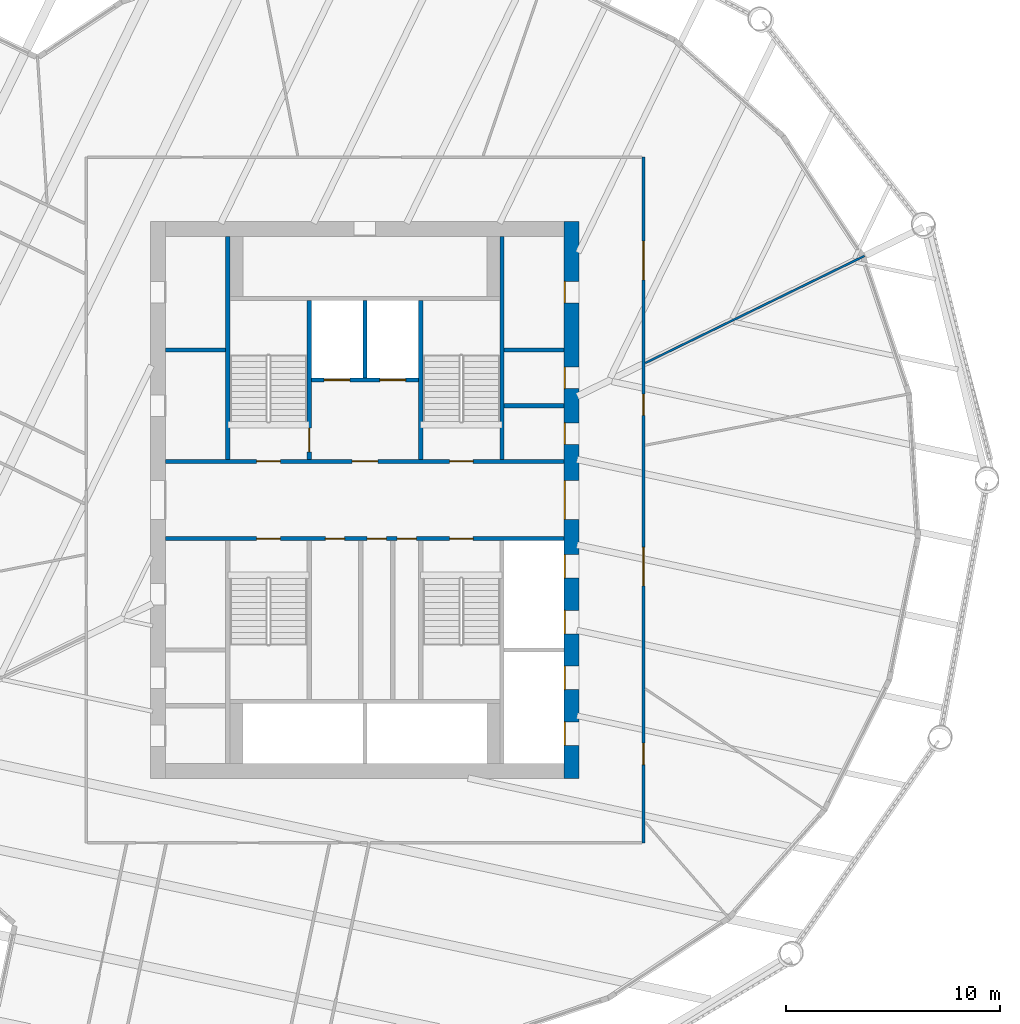
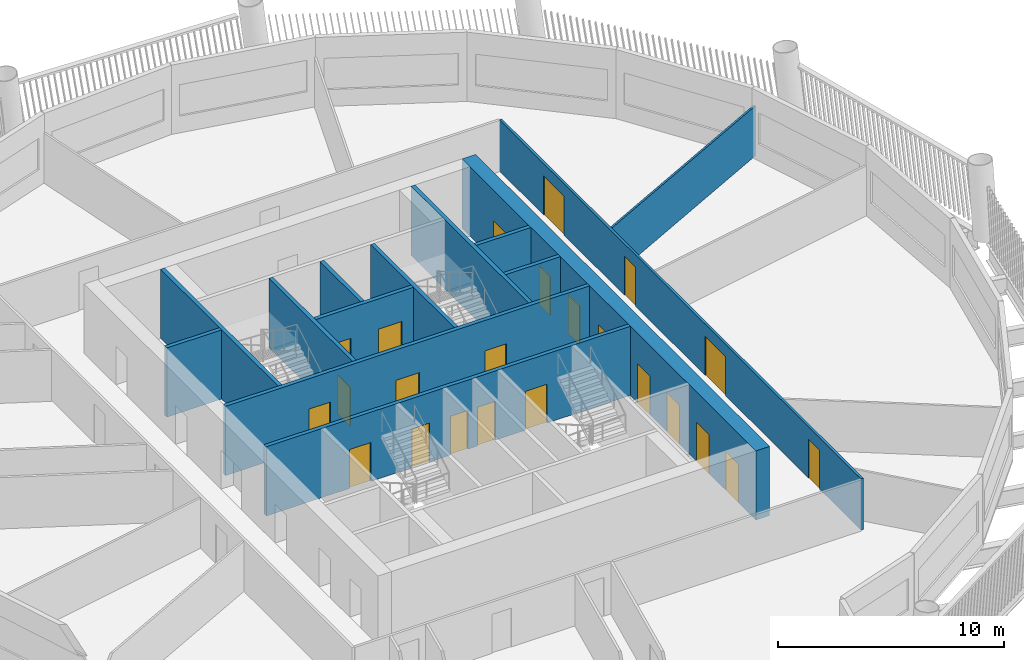
# One storey, part 5 of 15: 23 doors, 14 walls, 23 openings.
"""IFC4 building model written with IfcOpenShell, lengths in metres."""

import ifcopenshell
import ifcopenshell.guid

model = None  # the IFC model being written
_history = None  # IfcOwnerHistory: only IFC2X3 demands one
_inside = {}  # id of a spatial element -> (the spatial element, [elements in it])
_under = {}  # id of a project, library or spatial element -> (it, [spatial elements below it])
_declared = {}  # id of a project -> (the project, [libraries it declares])
_typed = {}  # id of a type object -> (the type object, [elements of that type])
_made_of = {}  # id of a material, layer set ... -> (it, [elements and type objects made of it])


def new_model(schema):
    """Start an empty IFC model of exactly this schema.

    Asked for "IFC4X3", IfcOpenShell would pick the latest addendum, in which some entities
    have other attributes; the version numbers below select the first issue.
    IFC2X3 requires an IfcOwnerHistory on every rooted entity: one is made here for all.
    """
    global model, _history
    if schema == "IFC4X3":
        model = ifcopenshell.file(schema_version=(4, 3, 0, 0))
    else:
        model = ifcopenshell.file(schema=schema)
    _inside.clear()
    _under.clear()
    _declared.clear()
    _typed.clear()
    _made_of.clear()
    _history = None
    if model.schema == "IFC2X3":
        org = make("IfcOrganization", Name="unknown")
        user = make(
            "IfcPersonAndOrganization",
            ThePerson=make("IfcPerson", FamilyName="unknown"),
            TheOrganization=org,
        )
        app = make(
            "IfcApplication",
            ApplicationDeveloper=org,
            Version="unknown",
            ApplicationFullName="unknown",
            ApplicationIdentifier="unknown",
        )
        _history = make(
            "IfcOwnerHistory",
            OwningUser=user,
            OwningApplication=app,
            ChangeAction="ADDED",
            CreationDate=0,
        )
    return model


def make(cls, **values):
    """One entity of the class cls with the attributes given. An attribute that is None is left unset."""
    return model.create_entity(
        cls, **{name: value for name, value in values.items() if value is not None}
    )


def rooted(cls, **values):
    """An entity with a GlobalId (a new one), such as an element, a storey or a relation."""
    return make(cls, GlobalId=ifcopenshell.guid.new(), OwnerHistory=_history, **values)


def si_unit(unit_type, name, prefix=None):
    """IfcSIUnit, for example si_unit("LENGTHUNIT", "METRE", prefix="MILLI")."""
    return make("IfcSIUnit", UnitType=unit_type, Prefix=prefix, Name=name)


def assignment(units):
    """IfcUnitAssignment: the units of a project."""
    return None if units is None else make("IfcUnitAssignment", Units=units)


def point(xyz):
    """IfcCartesianPoint."""
    return None if xyz is None else make("IfcCartesianPoint", Coordinates=xyz)


def direction(xyz):
    """IfcDirection."""
    return None if xyz is None else make("IfcDirection", DirectionRatios=xyz)


def frame(location, z_axis=None, x_axis=None):
    """IfcAxis2Placement3D, a coordinate frame: its origin and axes. An axis left out is left unset."""
    return make(
        "IfcAxis2Placement3D",
        Location=point(location),
        Axis=direction(z_axis),
        RefDirection=direction(x_axis),
    )


def frame_2d(location, x_axis=None):
    """IfcAxis2Placement2D, a coordinate frame in the plane: its origin and x axis."""
    return make(
        "IfcAxis2Placement2D", Location=point(location), RefDirection=direction(x_axis)
    )


def origin():
    """The frame at (0, 0, 0) with its axes left unset."""
    return frame((0.0, 0.0, 0.0))


def place(relative_to, where):
    """IfcLocalPlacement: puts the frame where relative to a parent placement (None: the world)."""
    return make(
        "IfcLocalPlacement", PlacementRelTo=relative_to, RelativePlacement=where
    )


def context(
    kind, dimensions, precision=None, world=None, true_north=None, identifier=None
):
    """IfcGeometricRepresentationContext, for example the 3D "Model" context."""
    return make(
        "IfcGeometricRepresentationContext",
        ContextIdentifier=identifier,
        ContextType=kind,
        CoordinateSpaceDimension=dimensions,
        Precision=precision,
        WorldCoordinateSystem=world,
        TrueNorth=true_north,
    )


def subcontext(parent, identifier, kind, view, scale=None):
    """IfcGeometricRepresentationSubContext, for example "Body" below "Model"."""
    return make(
        "IfcGeometricRepresentationSubContext",
        ContextIdentifier=identifier,
        ContextType=kind,
        ParentContext=parent,
        TargetScale=scale,
        TargetView=view,
    )


def project(units=None, contexts=None):
    """IfcProject with its units and contexts."""
    return rooted(
        "IfcProject",
        Name="project",
        RepresentationContexts=contexts,
        UnitsInContext=assignment(units),
    )


def spatial(cls, under=None, at=None, **own):
    """A site, building, storey or space (cls), placed at a placement, below another one or the project."""
    s = rooted(cls, ObjectPlacement=at, **own)
    if under is not None:
        _under.setdefault(under.id(), (under, []))[1].append(s)
    return s


def profile(cls, at=None, kind="AREA", **sizes):
    """A parametric profile (cls). Its sizes go by their IFC names, for example OverallWidth=200.0."""
    return make(cls, ProfileType=kind, Position=at, **sizes)


def rectangle(**sizes):
    """IfcRectangleProfileDef."""
    return profile("IfcRectangleProfileDef", **sizes)


def extrude(swept, where, along, depth):
    """IfcExtrudedAreaSolid: the profile swept, set in the frame where, extruded along a direction by depth."""
    return make(
        "IfcExtrudedAreaSolid",
        SweptArea=swept,
        Position=where,
        ExtrudedDirection=direction(along),
        Depth=depth,
    )


def shape(context_of_items, identifier, shape_type, items):
    """IfcShapeRepresentation: the items that make up one representation, for example the "Body"."""
    return make(
        "IfcShapeRepresentation",
        ContextOfItems=context_of_items,
        RepresentationIdentifier=identifier,
        RepresentationType=shape_type,
        Items=items,
    )


def material(Name=None, Category=None):
    """IfcMaterial."""
    return make("IfcMaterial", Name=Name, Category=Category)


def layer(
    of_material, thickness, ventilated=None, Name=None, Category=None, Priority=None
):
    """IfcMaterialLayer: one layer of a wall or slab, of a material (None: an air gap)."""
    return make(
        "IfcMaterialLayer",
        Material=of_material,
        LayerThickness=thickness,
        IsVentilated=ventilated,
        Name=Name,
        Category=Category,
        Priority=Priority,
    )


def layer_set(layers, Name=None):
    """IfcMaterialLayerSet."""
    return make("IfcMaterialLayerSet", MaterialLayers=layers, LayerSetName=Name)


def made_of(thing, what):
    """Note that an element or type object is made of a material, layer set ...; save() writes the relation."""
    if what is not None:
        _made_of.setdefault(what.id(), (what, []))[1].append(thing)
    return thing


def type_object(cls, material=None, **own):
    """A type object (cls), such as IfcWallType, which elements share."""
    return made_of(rooted(cls, **own), material)


def element(
    cls,
    number,
    at=None,
    inside=None,
    cuts=None,
    type_object=None,
    material=None,
    context=None,
    identifier="Body",
    shape_type=None,
    held_by="IfcProductDefinitionShape",
    body=None,
    shapes=None,
    **own,
):
    """One element of the class cls, such as IfcWall. Its Tag is "e" and its number.

    at: its placement. inside: the storey or other place that contains it. cuts: it is an
    opening in that element (IfcRelVoidsElement). A single representation is given by context,
    identifier, shape_type and body (its items); several are given by shapes. held_by: the class
    of the entity that holds the representations. save() writes the other relations.
    """
    e = rooted(cls, Tag="e%d" % number, ObjectPlacement=at, **own)
    if body is not None:
        shapes = [shape(context, identifier, shape_type, body)]
    if shapes is not None:
        e.Representation = make(held_by, Representations=shapes)
    if inside is not None:
        _inside.setdefault(inside.id(), (inside, []))[1].append(e)
    if cuts is not None:
        rooted(
            "IfcRelVoidsElement", RelatingBuildingElement=cuts, RelatedOpeningElement=e
        )
    if type_object is not None:
        _typed.setdefault(type_object.id(), (type_object, []))[1].append(e)
    return made_of(e, material)


def fill(opening, filler):
    """IfcRelFillsElement: the door or window that sits in an opening."""
    return rooted(
        "IfcRelFillsElement",
        RelatingOpeningElement=opening,
        RelatedBuildingElement=filler,
    )


def aggregate(whole, parts):
    """IfcRelAggregates: a whole, such as a stair, and the parts it consists of."""
    return rooted("IfcRelAggregates", RelatingObject=whole, RelatedObjects=parts)


def save(model, path):
    """Write the relations noted so far, then the file.

    IfcRelAggregates (storeys below a building ...), IfcRelContainedInSpatialStructure (elements
    in a storey), IfcRelDefinesByType, IfcRelAssociatesMaterial and IfcRelDeclares: one each for
    every whole, place, type object, material and project.
    """
    for whole, parts in _under.values():
        aggregate(whole, parts)
    for where, things in _inside.values():
        rooted(
            "IfcRelContainedInSpatialStructure",
            RelatedElements=things,
            RelatingStructure=where,
        )
    for kind, things in _typed.values():
        rooted("IfcRelDefinesByType", RelatedObjects=things, RelatingType=kind)
    for what, things in _made_of.values():
        rooted("IfcRelAssociatesMaterial", RelatedObjects=things, RelatingMaterial=what)
    for by, libraries in _declared.values():
        rooted("IfcRelDeclares", RelatingContext=by, RelatedDefinitions=libraries)
    model.write(path)


model = new_model("IFC4")

# Units and contexts
model_context = context("Model", 3, precision=1e-05, world=origin(), true_north=direction((0.0, 1.0)))
body_context = subcontext(model_context, "Body", "Model", "MODEL_VIEW")
ifc_project = project(units=[si_unit("LENGTHUNIT", "METRE"), si_unit("AREAUNIT", "SQUARE_METRE"), si_unit("VOLUMEUNIT", "CUBIC_METRE"), si_unit("PLANEANGLEUNIT", "RADIAN"), si_unit("MASSUNIT", "GRAM", prefix="KILO")], contexts=[model_context])

# Site, building, storey
site_placement = place(None, origin())
site = spatial("IfcSite", under=ifc_project, at=site_placement, CompositionType="ELEMENT")
building_placement = place(site_placement, origin())
building = spatial("IfcBuilding", under=site, at=building_placement, Name="Tarsis Ring Headquarters", CompositionType="ELEMENT")
storey_placement = place(building_placement, frame((0.0, 0.0, 174.89990234375)))
storey = spatial("IfcBuildingStorey", under=building, at=storey_placement, Name="L40", CompositionType="ELEMENT", Elevation=174.89990234375)

# Walls
ifc_material_1 = material(Name="Blockwork", Category="masonry")
ifc_layer_1 = layer(ifc_material_1, 0.199951171875)
ifc_layer_set_1 = layer_set([ifc_layer_1], Name="Core blockwork wall 200")
wall_type_1 = type_object("IfcWallType", Name="Core blockwork wall 200", PredefinedType="PARTITIONING", material=ifc_layer_set_1)
for number, where, z_axis, x_axis, name in (
    (1, (-9.300048828125, 7.0, 0.0), (0.0, 0.0, 1.0), (1.0, 0.0, 0.0), "Core partition WD6"),
    (2, (6.5, 4.39990234375, 0.0), (0.0, 0.0, 1.0), (1.0, 0.0, 0.0), "Core partition ED5"),
    (3, (6.5, 7.0, 0.0), (0.0, 0.0, 1.0), (1.0, 0.0, 0.0), "Core partition ED6"),
):
    element("IfcWall", number, at=place(storey_placement, frame(where, z_axis=z_axis, x_axis=x_axis)), inside=storey, type_object=wall_type_1, Name=name, PredefinedType="PARTITIONING", context=body_context, shape_type="SweptSolid", body=[
        extrude(rectangle(XDim=2.800048828125, YDim=0.199951171875, at=frame_2d((1.39990234375, 0.0))), origin(), (0.0, 0.0, 1.0), 3.739990234375),
    ])

# Wall, openings, doors
ifc_material_2 = material(Name="Concrete C60/75", Category="concrete")
ifc_layer_2 = layer(ifc_material_2, 0.699951171875)
ifc_layer_set_2 = layer_set([ifc_layer_2], Name="Core wall 700 C60/75")
wall_type_2 = type_object("IfcWallType", Name="Core wall 700 C60/75", PredefinedType="SHEAR", material=ifc_layer_set_2)
wall_1_placement = place(storey_placement, frame((9.64990234375, -13.0, 0.0), z_axis=(0.0, 0.0, 1.0), x_axis=(0.0, 1.0, 0.0)))
wall_1 = element("IfcWall", 4, at=wall_1_placement, inside=storey, type_object=wall_type_2, Name="Core wall OE", PredefinedType="SHEAR", context=body_context, shape_type="SweptSolid", body=[
    extrude(rectangle(XDim=26.0, YDim=0.699951171875, at=frame_2d((13.0, 0.0))), origin(), (0.0, 0.0, 1.0), 3.739990234375),
])
opening_1_placement = place(wall_1_placement, frame((1.550048828125, 0.0, 0.0)))
opening_1 = element("IfcOpeningElement", 5, at=opening_1_placement, cuts=wall_1, Name="Opening LD-MR1", PredefinedType="OPENING", context=body_context, shape_type="SweptSolid", body=[
    extrude(rectangle(XDim=1.10009765625, YDim=2.10009765625, at=frame_2d((0.550048828125, 1.050048828125))), frame((0.0, 0.35986328125, 0.0), z_axis=(0.0, -1.0, 0.0), x_axis=(1.0, 0.0, 0.0)), (0.0, 0.0, 1.0), 0.719970703125),
])
opening_2_placement = place(wall_1_placement, frame((4.14990234375, 0.0, 0.0)))
opening_2 = element("IfcOpeningElement", 6, at=opening_2_placement, cuts=wall_1, Name="Opening LD-MR2", PredefinedType="OPENING", context=body_context, shape_type="SweptSolid", body=[
    extrude(rectangle(XDim=1.10009765625, YDim=2.10009765625, at=frame_2d((0.550048828125, 1.050048828125))), frame((0.0, 0.35986328125, 0.0), z_axis=(0.0, -1.0, 0.0), x_axis=(1.0, 0.0, 0.0)), (0.0, 0.0, 1.0), 0.719970703125),
])
opening_3_placement = place(wall_1_placement, frame((6.75, 0.0, 0.0)))
opening_3 = element("IfcOpeningElement", 7, at=opening_3_placement, cuts=wall_1, Name="Opening LD-MR3", PredefinedType="OPENING", context=body_context, shape_type="SweptSolid", body=[
    extrude(rectangle(XDim=1.10009765625, YDim=2.10009765625, at=frame_2d((0.550048828125, 1.050048828125))), frame((0.0, 0.35986328125, 0.0), z_axis=(0.0, -1.0, 0.0), x_axis=(1.0, 0.0, 0.0)), (0.0, 0.0, 1.0), 0.719970703125),
])
opening_4_placement = place(wall_1_placement, frame((9.35009765625, 0.0, 0.0)))
opening_4 = element("IfcOpeningElement", 8, at=opening_4_placement, cuts=wall_1, Name="Opening LD-MR4", PredefinedType="OPENING", context=body_context, shape_type="SweptSolid", body=[
    extrude(rectangle(XDim=1.10009765625, YDim=2.10009765625, at=frame_2d((0.550048828125, 1.050048828125))), frame((0.0, 0.35986328125, 0.0), z_axis=(0.0, -1.0, 0.0), x_axis=(1.0, 0.0, 0.0)), (0.0, 0.0, 1.0), 0.719970703125),
])
opening_5_placement = place(wall_1_placement, frame((12.10009765625, 0.0, 0.0)))
opening_5 = element("IfcOpeningElement", 9, at=opening_5_placement, cuts=wall_1, Name="Opening L40-C11", PredefinedType="OPENING", context=body_context, shape_type="SweptSolid", body=[
    extrude(rectangle(XDim=1.800048828125, YDim=2.10009765625, at=frame_2d((0.89990234375, 1.050048828125))), frame((0.0, 0.35986328125, 0.0), z_axis=(0.0, -1.0, 0.0), x_axis=(1.0, 0.0, 0.0)), (0.0, 0.0, 1.0), 0.719970703125),
])
opening_6_placement = place(wall_1_placement, frame((15.60009765625, 0.0, 0.0)))
opening_6 = element("IfcOpeningElement", 10, at=opening_6_placement, cuts=wall_1, Name="Opening L40-C12", PredefinedType="OPENING", context=body_context, shape_type="SweptSolid", body=[
    extrude(rectangle(XDim=1.0, YDim=2.10009765625, at=frame_2d((0.5, 1.050048828125))), frame((0.0, 0.35986328125, 0.0), z_axis=(0.0, -1.0, 0.0), x_axis=(1.0, 0.0, 0.0)), (0.0, 0.0, 1.0), 0.719970703125),
])
opening_7_placement = place(wall_1_placement, frame((18.199951171875, 0.0, 0.0)))
opening_7 = element("IfcOpeningElement", 11, at=opening_7_placement, cuts=wall_1, Name="Opening L40-C13", PredefinedType="OPENING", context=body_context, shape_type="SweptSolid", body=[
    extrude(rectangle(XDim=1.0, YDim=2.10009765625, at=frame_2d((0.5, 1.050048828125))), frame((0.0, 0.35986328125, 0.0), z_axis=(0.0, -1.0, 0.0), x_axis=(1.0, 0.0, 0.0)), (0.0, 0.0, 1.0), 0.719970703125),
])
opening_8_placement = place(wall_1_placement, frame((22.199951171875, 0.0, 0.0)))
opening_8 = element("IfcOpeningElement", 12, at=opening_8_placement, cuts=wall_1, Name="Opening L40-C14", PredefinedType="OPENING", context=body_context, shape_type="SweptSolid", body=[
    extrude(rectangle(XDim=1.0, YDim=2.10009765625, at=frame_2d((0.5, 1.050048828125))), frame((0.0, 0.35986328125, 0.0), z_axis=(0.0, -1.0, 0.0), x_axis=(1.0, 0.0, 0.0)), (0.0, 0.0, 1.0), 0.719970703125),
])
ifc_material_3 = material(Name="Steel S355", Category="steel")
door_type_1 = type_object("IfcDoorType", Name="Core entry door 1800x2100", OperationType="DOUBLE_DOOR_SINGLE_SWING", PredefinedType="DOOR", material=ifc_material_3)
door_1_placement = place(opening_5_placement, origin())
door_1 = element("IfcDoor", 13, at=door_1_placement, inside=storey, type_object=door_type_1, Name="Core entry door L40", OperationType="DOUBLE_DOOR_SINGLE_SWING", OverallHeight=2.10009765625, OverallWidth=1.800048828125, PredefinedType="DOOR", context=body_context, shape_type="SweptSolid", body=[
    extrude(rectangle(XDim=1.800048828125, YDim=2.10009765625, at=frame_2d((0.89990234375, 1.050048828125))), frame((0.0, 0.35009765625, 0.0), z_axis=(0.0, -1.0, 0.0), x_axis=(1.0, 0.0, 0.0)), (0.0, 0.0, 1.0), 0.050048828125),
])
fill(opening_5, door_1)
door_type_2 = type_object("IfcDoorType", Name="Core room door 1000x2100", OperationType="SINGLE_SWING_LEFT", PredefinedType="DOOR", material=ifc_material_3)
door_2_placement = place(opening_6_placement, origin())
door_2 = element("IfcDoor", 14, at=door_2_placement, inside=storey, type_object=door_type_2, Name="Core room door L40", OperationType="SINGLE_SWING_LEFT", OverallHeight=2.10009765625, OverallWidth=1.0, PredefinedType="DOOR", context=body_context, shape_type="SweptSolid", body=[
    extrude(rectangle(XDim=1.0, YDim=2.10009765625, at=frame_2d((0.5, 1.050048828125))), frame((0.0, 0.35009765625, 0.0), z_axis=(0.0, -1.0, 0.0), x_axis=(1.0, 0.0, 0.0)), (0.0, 0.0, 1.0), 0.050048828125),
])
fill(opening_6, door_2)
door_3_placement = place(opening_7_placement, origin())
door_3 = element("IfcDoor", 15, at=door_3_placement, inside=storey, type_object=door_type_2, Name="Core room door L40", OperationType="SINGLE_SWING_LEFT", OverallHeight=2.10009765625, OverallWidth=1.0, PredefinedType="DOOR", context=body_context, shape_type="SweptSolid", body=[
    extrude(rectangle(XDim=1.0, YDim=2.10009765625, at=frame_2d((0.5, 1.050048828125))), frame((0.0, 0.35009765625, 0.0), z_axis=(0.0, -1.0, 0.0), x_axis=(1.0, 0.0, 0.0)), (0.0, 0.0, 1.0), 0.050048828125),
])
fill(opening_7, door_3)
door_4_placement = place(opening_8_placement, origin())
door_4 = element("IfcDoor", 16, at=door_4_placement, inside=storey, type_object=door_type_2, Name="Core room door L40", OperationType="SINGLE_SWING_LEFT", OverallHeight=2.10009765625, OverallWidth=1.0, PredefinedType="DOOR", context=body_context, shape_type="SweptSolid", body=[
    extrude(rectangle(XDim=1.0, YDim=2.10009765625, at=frame_2d((0.5, 1.050048828125))), frame((0.0, 0.35009765625, 0.0), z_axis=(0.0, -1.0, 0.0), x_axis=(1.0, 0.0, 0.0)), (0.0, 0.0, 1.0), 0.050048828125),
])
fill(opening_8, door_4)
door_type_3 = type_object("IfcDoorType", Name="Landing door 1100x2100", OperationType="SLIDING_TO_LEFT", PredefinedType="DOOR", material=ifc_material_3)
door_5_placement = place(opening_1_placement, origin())
door_5 = element("IfcDoor", 17, at=door_5_placement, inside=storey, type_object=door_type_3, Name="Landing door MR1 L40", OperationType="SLIDING_TO_LEFT", OverallHeight=2.10009765625, OverallWidth=1.10009765625, PredefinedType="DOOR", context=body_context, shape_type="SweptSolid", body=[
    extrude(rectangle(XDim=1.10009765625, YDim=2.10009765625, at=frame_2d((0.550048828125, 1.050048828125))), frame((0.0, 0.35009765625, 0.0), z_axis=(0.0, -1.0, 0.0), x_axis=(1.0, 0.0, 0.0)), (0.0, 0.0, 1.0), 0.050048828125),
])
fill(opening_1, door_5)
door_6_placement = place(opening_2_placement, origin())
door_6 = element("IfcDoor", 18, at=door_6_placement, inside=storey, type_object=door_type_3, Name="Landing door MR2 L40", OperationType="SLIDING_TO_LEFT", OverallHeight=2.10009765625, OverallWidth=1.10009765625, PredefinedType="DOOR", context=body_context, shape_type="SweptSolid", body=[
    extrude(rectangle(XDim=1.10009765625, YDim=2.10009765625, at=frame_2d((0.550048828125, 1.050048828125))), frame((0.0, 0.35009765625, 0.0), z_axis=(0.0, -1.0, 0.0), x_axis=(1.0, 0.0, 0.0)), (0.0, 0.0, 1.0), 0.050048828125),
])
fill(opening_2, door_6)
door_7_placement = place(opening_3_placement, origin())
door_7 = element("IfcDoor", 19, at=door_7_placement, inside=storey, type_object=door_type_3, Name="Landing door MR3 L40", OperationType="SLIDING_TO_LEFT", OverallHeight=2.10009765625, OverallWidth=1.10009765625, PredefinedType="DOOR", context=body_context, shape_type="SweptSolid", body=[
    extrude(rectangle(XDim=1.10009765625, YDim=2.10009765625, at=frame_2d((0.550048828125, 1.050048828125))), frame((0.0, 0.35009765625, 0.0), z_axis=(0.0, -1.0, 0.0), x_axis=(1.0, 0.0, 0.0)), (0.0, 0.0, 1.0), 0.050048828125),
])
fill(opening_3, door_7)
door_8_placement = place(opening_4_placement, origin())
door_8 = element("IfcDoor", 20, at=door_8_placement, inside=storey, type_object=door_type_3, Name="Landing door MR4 L40", OperationType="SLIDING_TO_LEFT", OverallHeight=2.10009765625, OverallWidth=1.10009765625, PredefinedType="DOOR", context=body_context, shape_type="SweptSolid", body=[
    extrude(rectangle(XDim=1.10009765625, YDim=2.10009765625, at=frame_2d((0.550048828125, 1.050048828125))), frame((0.0, 0.35009765625, 0.0), z_axis=(0.0, -1.0, 0.0), x_axis=(1.0, 0.0, 0.0)), (0.0, 0.0, 1.0), 0.050048828125),
])
fill(opening_4, door_8)

# Wall
ifc_material_4 = material(Name="Gypsum board on steel studs", Category="steel")
ifc_layer_3 = layer(ifc_material_4, 0.10009765625)
ifc_layer_set_3 = layer_set([ifc_layer_3], Name="FL partition 100 unrated")
wall_type_3 = type_object("IfcWallType", Name="FL partition 100 unrated", PredefinedType="PARTITIONING", material=ifc_layer_set_3)
wall_2_placement = place(storey_placement, frame((13.080810546875, 6.391357421875, 0.0), z_axis=(0.0, 0.0, 1.0), x_axis=(0.898488280008, 0.438997506472, 0.0)))
element("IfcWall", 21, at=wall_2_placement, inside=storey, type_object=wall_type_3, Name="Partition PW3", PredefinedType="PARTITIONING", context=body_context, shape_type="SweptSolid", body=[
    extrude(rectangle(XDim=11.388916015625, YDim=0.10009765625, at=frame_2d((5.6943359375, 0.0))), origin(), (0.0, 0.0, 1.0), 2.7001953125),
])

# Wall, openings, doors
ifc_layer_4 = layer(ifc_material_4, 0.125)
ifc_layer_set_4 = layer_set([ifc_layer_4], Name="FL partition 125 EI 60 H2770")
wall_type_4 = type_object("IfcWallType", Name="FL partition 125 EI 60 H2770", PredefinedType="PARTITIONING", material=ifc_layer_set_4)
wall_3_placement = place(storey_placement, frame((13.0, -16.0, 0.0), z_axis=(0.0, 0.0, 1.0), x_axis=(0.0, 1.0, 0.0)))
wall_3 = element("IfcWall", 22, at=wall_3_placement, inside=storey, type_object=wall_type_4, Name="Partition PW1", PredefinedType="PARTITIONING", context=body_context, shape_type="SweptSolid", body=[
    extrude(rectangle(XDim=32.0, YDim=0.125, at=frame_2d((16.0, 0.0))), origin(), (0.0, 0.0, 1.0), 2.77001953125),
])
opening_9_placement = place(wall_3_placement, frame((26.27587890625, 0.0, 0.0)))
opening_9 = element("IfcOpeningElement", 23, at=opening_9_placement, cuts=wall_3, Name="Opening D40.06", PredefinedType="OPENING", context=body_context, shape_type="SweptSolid", body=[
    extrude(rectangle(XDim=1.800048828125, YDim=2.10009765625, at=frame_2d((0.89990234375, 1.050048828125))), frame((0.0, 0.072509765625, 0.0), z_axis=(0.0, -1.0, 0.0), x_axis=(1.0, 0.0, 0.0)), (0.0, 0.0, 1.0), 0.14501953125),
])
opening_10_placement = place(wall_3_placement, frame((19.944091796875, 0.0, 0.0)))
opening_10 = element("IfcOpeningElement", 24, at=opening_10_placement, cuts=wall_3, Name="Opening D40.07", PredefinedType="OPENING", context=body_context, shape_type="SweptSolid", body=[
    extrude(rectangle(XDim=1.0, YDim=2.10009765625, at=frame_2d((0.5, 1.050048828125))), frame((0.0, 0.072509765625, 0.0), z_axis=(0.0, -1.0, 0.0), x_axis=(1.0, 0.0, 0.0)), (0.0, 0.0, 1.0), 0.14501953125),
])
opening_11_placement = place(wall_3_placement, frame((11.990478515625, 0.0, 0.0)))
opening_11 = element("IfcOpeningElement", 25, at=opening_11_placement, cuts=wall_3, Name="Opening D40.08", PredefinedType="OPENING", context=body_context, shape_type="SweptSolid", body=[
    extrude(rectangle(XDim=1.800048828125, YDim=2.10009765625, at=frame_2d((0.89990234375, 1.050048828125))), frame((0.0, 0.072509765625, 0.0), z_axis=(0.0, -1.0, 0.0), x_axis=(1.0, 0.0, 0.0)), (0.0, 0.0, 1.0), 0.14501953125),
])
opening_12_placement = place(wall_3_placement, frame((3.655517578125, 0.0, 0.0)))
opening_12 = element("IfcOpeningElement", 26, at=opening_12_placement, cuts=wall_3, Name="Opening D40.09", PredefinedType="OPENING", context=body_context, shape_type="SweptSolid", body=[
    extrude(rectangle(XDim=1.0, YDim=2.10009765625, at=frame_2d((0.5, 1.050048828125))), frame((0.0, 0.072509765625, 0.0), z_axis=(0.0, -1.0, 0.0), x_axis=(1.0, 0.0, 0.0)), (0.0, 0.0, 1.0), 0.14501953125),
])
ifc_material_5 = material(Name="Fire-rated timber door leaf in steel frame", Category="steel")
door_type_4 = type_object("IfcDoorType", Name="FL door FD60-1000", OperationType="NOTDEFINED", PredefinedType="DOOR", material=ifc_material_5)
door_9_placement = place(opening_10_placement, origin())
door_9 = element("IfcDoor", 27, at=door_9_placement, inside=storey, type_object=door_type_4, Name="Door D40.07", OperationType="SINGLE_SWING_LEFT", OverallHeight=2.10009765625, OverallWidth=1.0, PredefinedType="DOOR", context=body_context, shape_type="SweptSolid", body=[
    extrude(rectangle(XDim=1.0, YDim=2.10009765625, at=frame_2d((0.5, 1.050048828125))), frame((0.0, 0.02490234375, 0.0), z_axis=(0.0, -1.0, 0.0), x_axis=(1.0, 0.0, 0.0)), (0.0, 0.0, 1.0), 0.050048828125),
])
fill(opening_10, door_9)
door_10_placement = place(opening_12_placement, origin())
door_10 = element("IfcDoor", 28, at=door_10_placement, inside=storey, type_object=door_type_4, Name="Door D40.09", OperationType="SINGLE_SWING_LEFT", OverallHeight=2.10009765625, OverallWidth=1.0, PredefinedType="DOOR", context=body_context, shape_type="SweptSolid", body=[
    extrude(rectangle(XDim=1.0, YDim=2.10009765625, at=frame_2d((0.5, 1.050048828125))), frame((0.0, 0.02490234375, 0.0), z_axis=(0.0, -1.0, 0.0), x_axis=(1.0, 0.0, 0.0)), (0.0, 0.0, 1.0), 0.050048828125),
])
fill(opening_12, door_10)
door_type_5 = type_object("IfcDoorType", Name="FL door FD60-1800", OperationType="DOUBLE_DOOR_SINGLE_SWING", PredefinedType="DOOR", material=ifc_material_5)
door_11_placement = place(opening_9_placement, origin())
door_11 = element("IfcDoor", 29, at=door_11_placement, inside=storey, type_object=door_type_5, Name="Door D40.06", OperationType="DOUBLE_DOOR_SINGLE_SWING", OverallHeight=2.10009765625, OverallWidth=1.800048828125, PredefinedType="DOOR", context=body_context, shape_type="SweptSolid", body=[
    extrude(rectangle(XDim=1.800048828125, YDim=2.10009765625, at=frame_2d((0.89990234375, 1.050048828125))), frame((0.0, 0.02490234375, 0.0), z_axis=(0.0, -1.0, 0.0), x_axis=(1.0, 0.0, 0.0)), (0.0, 0.0, 1.0), 0.050048828125),
])
fill(opening_9, door_11)
door_12_placement = place(opening_11_placement, origin())
door_12 = element("IfcDoor", 30, at=door_12_placement, inside=storey, type_object=door_type_5, Name="Door D40.08", OperationType="DOUBLE_DOOR_SINGLE_SWING", OverallHeight=2.10009765625, OverallWidth=1.800048828125, PredefinedType="DOOR", context=body_context, shape_type="SweptSolid", body=[
    extrude(rectangle(XDim=1.800048828125, YDim=2.10009765625, at=frame_2d((0.89990234375, 1.050048828125))), frame((0.0, 0.02490234375, 0.0), z_axis=(0.0, -1.0, 0.0), x_axis=(1.0, 0.0, 0.0)), (0.0, 0.0, 1.0), 0.050048828125),
])
fill(opening_11, door_12)

ifc_material_6 = material(Name="Concrete C32/40", Category="concrete")
ifc_layer_5 = layer(ifc_material_6, 0.199951171875)
ifc_layer_set_5 = layer_set([ifc_layer_5], Name="Shaft wall 200 C32/40")
wall_type_5 = type_object("IfcWallType", Name="Shaft wall 200 C32/40", PredefinedType="SOLIDWALL", material=ifc_layer_set_5)
wall_4_placement = place(storey_placement, frame((-9.300048828125, 1.800048828125, 0.0), z_axis=(0.0, 0.0, 1.0), x_axis=(1.0, 0.0, 0.0)))
wall_4 = element("IfcWall", 31, at=wall_4_placement, inside=storey, type_object=wall_type_5, Name="Core shaft wall CN", PredefinedType="SOLIDWALL", context=body_context, shape_type="SweptSolid", body=[
    extrude(rectangle(XDim=18.60009765625, YDim=0.199951171875, at=frame_2d((9.300048828125, 0.0))), origin(), (0.0, 0.0, 1.0), 3.739990234375),
])
opening_13_placement = place(wall_4_placement, frame((4.25, 0.0, 0.0)))
opening_13 = element("IfcOpeningElement", 32, at=opening_13_placement, cuts=wall_4, Name="Opening L40-C16", PredefinedType="OPENING", context=body_context, shape_type="SweptSolid", body=[
    extrude(rectangle(XDim=1.10009765625, YDim=2.10009765625, at=frame_2d((0.550048828125, 1.050048828125))), frame((0.0, 0.10986328125, 0.0), z_axis=(0.0, -1.0, 0.0), x_axis=(1.0, 0.0, 0.0)), (0.0, 0.0, 1.0), 0.219970703125),
])
opening_14_placement = place(wall_4_placement, frame((8.699951171875, 0.0, 0.0)))
opening_14 = element("IfcOpeningElement", 33, at=opening_14_placement, cuts=wall_4, Name="Opening L40-C17", PredefinedType="OPENING", context=body_context, shape_type="SweptSolid", body=[
    extrude(rectangle(XDim=1.199951171875, YDim=2.10009765625, at=frame_2d((0.60009765625, 1.050048828125))), frame((0.0, 0.10986328125, 0.0), z_axis=(0.0, -1.0, 0.0), x_axis=(1.0, 0.0, 0.0)), (0.0, 0.0, 1.0), 0.219970703125),
])
opening_15_placement = place(wall_4_placement, frame((13.25, 0.0, 0.0)))
opening_15 = element("IfcOpeningElement", 34, at=opening_15_placement, cuts=wall_4, Name="Opening L40-C18", PredefinedType="OPENING", context=body_context, shape_type="SweptSolid", body=[
    extrude(rectangle(XDim=1.10009765625, YDim=2.10009765625, at=frame_2d((0.550048828125, 1.050048828125))), frame((0.0, 0.10986328125, 0.0), z_axis=(0.0, -1.0, 0.0), x_axis=(1.0, 0.0, 0.0)), (0.0, 0.0, 1.0), 0.219970703125),
])
door_type_6 = type_object("IfcDoorType", Name="Firefighting lobby door 1200x2100", OperationType="DOUBLE_DOOR_SINGLE_SWING", PredefinedType="DOOR", material=ifc_material_3)
door_13_placement = place(opening_14_placement, origin())
door_13 = element("IfcDoor", 35, at=door_13_placement, inside=storey, type_object=door_type_6, Name="Firefighting lobby door L40", OperationType="DOUBLE_DOOR_SINGLE_SWING", OverallHeight=2.10009765625, OverallWidth=1.199951171875, PredefinedType="DOOR", context=body_context, shape_type="SweptSolid", body=[
    extrude(rectangle(XDim=1.199951171875, YDim=2.10009765625, at=frame_2d((0.60009765625, 1.050048828125))), frame((0.0, 0.02490234375, 0.0), z_axis=(0.0, -1.0, 0.0), x_axis=(1.0, 0.0, 0.0)), (0.0, 0.0, 1.0), 0.050048828125),
])
fill(opening_14, door_13)
door_type_7 = type_object("IfcDoorType", Name="Stair door 1100x2100", OperationType="SINGLE_SWING_LEFT", PredefinedType="DOOR", material=ifc_material_3)
door_14_placement = place(opening_13_placement, origin())
door_14 = element("IfcDoor", 36, at=door_14_placement, inside=storey, type_object=door_type_7, Name="Stair door L40", OperationType="SINGLE_SWING_LEFT", OverallHeight=2.10009765625, OverallWidth=1.10009765625, PredefinedType="DOOR", context=body_context, shape_type="SweptSolid", body=[
    extrude(rectangle(XDim=1.10009765625, YDim=2.10009765625, at=frame_2d((0.550048828125, 1.050048828125))), frame((0.0, 0.02490234375, 0.0), z_axis=(0.0, -1.0, 0.0), x_axis=(1.0, 0.0, 0.0)), (0.0, 0.0, 1.0), 0.050048828125),
])
fill(opening_13, door_14)
door_15_placement = place(opening_15_placement, origin())
door_15 = element("IfcDoor", 37, at=door_15_placement, inside=storey, type_object=door_type_7, Name="Stair door L40", OperationType="SINGLE_SWING_LEFT", OverallHeight=2.10009765625, OverallWidth=1.10009765625, PredefinedType="DOOR", context=body_context, shape_type="SweptSolid", body=[
    extrude(rectangle(XDim=1.10009765625, YDim=2.10009765625, at=frame_2d((0.550048828125, 1.050048828125))), frame((0.0, 0.02490234375, 0.0), z_axis=(0.0, -1.0, 0.0), x_axis=(1.0, 0.0, 0.0)), (0.0, 0.0, 1.0), 0.050048828125),
])
fill(opening_15, door_15)

wall_5_placement = place(storey_placement, frame((-9.300048828125, -1.800048828125, 0.0), z_axis=(0.0, 0.0, 1.0), x_axis=(1.0, 0.0, 0.0)))
wall_5 = element("IfcWall", 38, at=wall_5_placement, inside=storey, type_object=wall_type_5, Name="Core shaft wall CS", PredefinedType="SOLIDWALL", context=body_context, shape_type="SweptSolid", body=[
    extrude(rectangle(XDim=18.60009765625, YDim=0.199951171875, at=frame_2d((9.300048828125, 0.0))), origin(), (0.0, 0.0, 1.0), 3.739990234375),
])
opening_16_placement = place(wall_5_placement, frame((4.25, 0.0, 0.0)))
opening_16 = element("IfcOpeningElement", 39, at=opening_16_placement, cuts=wall_5, Name="Opening L40-C19", PredefinedType="OPENING", context=body_context, shape_type="SweptSolid", body=[
    extrude(rectangle(XDim=1.10009765625, YDim=2.10009765625, at=frame_2d((0.550048828125, 1.050048828125))), frame((0.0, 0.10986328125, 0.0), z_axis=(0.0, -1.0, 0.0), x_axis=(1.0, 0.0, 0.0)), (0.0, 0.0, 1.0), 0.219970703125),
])
opening_17_placement = place(wall_5_placement, frame((7.449951171875, 0.0, 0.0)))
opening_17 = element("IfcOpeningElement", 40, at=opening_17_placement, cuts=wall_5, Name="Opening L40-C20", PredefinedType="OPENING", context=body_context, shape_type="SweptSolid", body=[
    extrude(rectangle(XDim=0.89990234375, YDim=2.10009765625, at=frame_2d((0.449951171875, 1.050048828125))), frame((0.0, 0.10986328125, 0.0), z_axis=(0.0, -1.0, 0.0), x_axis=(1.0, 0.0, 0.0)), (0.0, 0.0, 1.0), 0.219970703125),
])
opening_18_placement = place(wall_5_placement, frame((9.39990234375, 0.0, 0.0)))
opening_18 = element("IfcOpeningElement", 41, at=opening_18_placement, cuts=wall_5, Name="Opening L40-C21", PredefinedType="OPENING", context=body_context, shape_type="SweptSolid", body=[
    extrude(rectangle(XDim=0.89990234375, YDim=2.10009765625, at=frame_2d((0.449951171875, 1.050048828125))), frame((0.0, 0.10986328125, 0.0), z_axis=(0.0, -1.0, 0.0), x_axis=(1.0, 0.0, 0.0)), (0.0, 0.0, 1.0), 0.219970703125),
])
opening_19_placement = place(wall_5_placement, frame((10.800048828125, 0.0, 0.0)))
opening_19 = element("IfcOpeningElement", 42, at=opening_19_placement, cuts=wall_5, Name="Opening L40-C22", PredefinedType="OPENING", context=body_context, shape_type="SweptSolid", body=[
    extrude(rectangle(XDim=0.89990234375, YDim=2.10009765625, at=frame_2d((0.449951171875, 1.050048828125))), frame((0.0, 0.10986328125, 0.0), z_axis=(0.0, -1.0, 0.0), x_axis=(1.0, 0.0, 0.0)), (0.0, 0.0, 1.0), 0.219970703125),
])
opening_20_placement = place(wall_5_placement, frame((13.25, 0.0, 0.0)))
opening_20 = element("IfcOpeningElement", 43, at=opening_20_placement, cuts=wall_5, Name="Opening L40-C23", PredefinedType="OPENING", context=body_context, shape_type="SweptSolid", body=[
    extrude(rectangle(XDim=1.10009765625, YDim=2.10009765625, at=frame_2d((0.550048828125, 1.050048828125))), frame((0.0, 0.10986328125, 0.0), z_axis=(0.0, -1.0, 0.0), x_axis=(1.0, 0.0, 0.0)), (0.0, 0.0, 1.0), 0.219970703125),
])
door_16_placement = place(opening_16_placement, origin())
door_16 = element("IfcDoor", 44, at=door_16_placement, inside=storey, type_object=door_type_7, Name="Stair door L40", OperationType="SINGLE_SWING_LEFT", OverallHeight=2.10009765625, OverallWidth=1.10009765625, PredefinedType="DOOR", context=body_context, shape_type="SweptSolid", body=[
    extrude(rectangle(XDim=1.10009765625, YDim=2.10009765625, at=frame_2d((0.550048828125, 1.050048828125))), frame((0.0, 0.02490234375, 0.0), z_axis=(0.0, -1.0, 0.0), x_axis=(1.0, 0.0, 0.0)), (0.0, 0.0, 1.0), 0.050048828125),
])
fill(opening_16, door_16)
door_17_placement = place(opening_20_placement, origin())
door_17 = element("IfcDoor", 45, at=door_17_placement, inside=storey, type_object=door_type_7, Name="Stair door L40", OperationType="SINGLE_SWING_LEFT", OverallHeight=2.10009765625, OverallWidth=1.10009765625, PredefinedType="DOOR", context=body_context, shape_type="SweptSolid", body=[
    extrude(rectangle(XDim=1.10009765625, YDim=2.10009765625, at=frame_2d((0.550048828125, 1.050048828125))), frame((0.0, 0.02490234375, 0.0), z_axis=(0.0, -1.0, 0.0), x_axis=(1.0, 0.0, 0.0)), (0.0, 0.0, 1.0), 0.050048828125),
])
fill(opening_20, door_17)
door_type_8 = type_object("IfcDoorType", Name="WC door 900x2100", OperationType="SINGLE_SWING_LEFT", PredefinedType="DOOR", material=ifc_material_3)
door_18_placement = place(opening_17_placement, origin())
door_18 = element("IfcDoor", 46, at=door_18_placement, inside=storey, type_object=door_type_8, Name="WC door L40", OperationType="SINGLE_SWING_LEFT", OverallHeight=2.10009765625, OverallWidth=0.89990234375, PredefinedType="DOOR", context=body_context, shape_type="SweptSolid", body=[
    extrude(rectangle(XDim=0.89990234375, YDim=2.10009765625, at=frame_2d((0.449951171875, 1.050048828125))), frame((0.0, 0.02490234375, 0.0), z_axis=(0.0, -1.0, 0.0), x_axis=(1.0, 0.0, 0.0)), (0.0, 0.0, 1.0), 0.050048828125),
])
fill(opening_17, door_18)
door_19_placement = place(opening_18_placement, origin())
door_19 = element("IfcDoor", 47, at=door_19_placement, inside=storey, type_object=door_type_8, Name="WC door L40", OperationType="SINGLE_SWING_LEFT", OverallHeight=2.10009765625, OverallWidth=0.89990234375, PredefinedType="DOOR", context=body_context, shape_type="SweptSolid", body=[
    extrude(rectangle(XDim=0.89990234375, YDim=2.10009765625, at=frame_2d((0.449951171875, 1.050048828125))), frame((0.0, 0.02490234375, 0.0), z_axis=(0.0, -1.0, 0.0), x_axis=(1.0, 0.0, 0.0)), (0.0, 0.0, 1.0), 0.050048828125),
])
fill(opening_18, door_19)
door_20_placement = place(opening_19_placement, origin())
door_20 = element("IfcDoor", 48, at=door_20_placement, inside=storey, type_object=door_type_8, Name="WC door L40", OperationType="SINGLE_SWING_LEFT", OverallHeight=2.10009765625, OverallWidth=0.89990234375, PredefinedType="DOOR", context=body_context, shape_type="SweptSolid", body=[
    extrude(rectangle(XDim=0.89990234375, YDim=2.10009765625, at=frame_2d((0.449951171875, 1.050048828125))), frame((0.0, 0.02490234375, 0.0), z_axis=(0.0, -1.0, 0.0), x_axis=(1.0, 0.0, 0.0)), (0.0, 0.0, 1.0), 0.050048828125),
])
fill(opening_19, door_20)

# Walls
for number, where, z_axis, x_axis, name in (
    (49, (-6.39990234375, 1.89990234375, 0.0), (0.0, 0.0, 1.0), (0.0, 1.0, 0.0), "Core shaft wall WB2"),
    (50, (6.39990234375, 1.89990234375, 0.0), (0.0, 0.0, 1.0), (0.0, 1.0, 0.0), "Core shaft wall EB2"),
):
    element("IfcWall", number, at=place(storey_placement, frame(where, z_axis=z_axis, x_axis=x_axis)), inside=storey, type_object=wall_type_5, Name=name, PredefinedType="SOLIDWALL", context=body_context, shape_type="SweptSolid", body=[
        extrude(rectangle(XDim=10.400146484375, YDim=0.199951171875, at=frame_2d((5.2001953125, 0.0))), origin(), (0.0, 0.0, 1.0), 3.739990234375),
    ])

# Wall, opening, door
wall_6_placement = place(storey_placement, frame((-2.60009765625, 1.89990234375, 0.0), z_axis=(0.0, 0.0, 1.0), x_axis=(0.0, 1.0, 0.0)))
wall_6 = element("IfcWall", 51, at=wall_6_placement, inside=storey, type_object=wall_type_5, Name="Core shaft wall SW1", PredefinedType="SOLIDWALL", context=body_context, shape_type="SweptSolid", body=[
    extrude(rectangle(XDim=7.400146484375, YDim=0.199951171875, at=frame_2d((3.7001953125, 0.0))), origin(), (0.0, 0.0, 1.0), 3.739990234375),
])
opening_21_placement = place(wall_6_placement, frame((0.35009765625, 0.0, 0.0)))
opening_21 = element("IfcOpeningElement", 52, at=opening_21_placement, cuts=wall_6, Name="Opening L40-C24", PredefinedType="OPENING", context=body_context, shape_type="SweptSolid", body=[
    extrude(rectangle(XDim=1.10009765625, YDim=2.10009765625, at=frame_2d((0.550048828125, 1.050048828125))), frame((0.0, 0.10986328125, 0.0), z_axis=(0.0, -1.0, 0.0), x_axis=(1.0, 0.0, 0.0)), (0.0, 0.0, 1.0), 0.219970703125),
])
door_21_placement = place(opening_21_placement, origin())
door_21 = element("IfcDoor", 53, at=door_21_placement, inside=storey, type_object=door_type_7, Name="Stair door L40", OperationType="SINGLE_SWING_LEFT", OverallHeight=2.10009765625, OverallWidth=1.10009765625, PredefinedType="DOOR", context=body_context, shape_type="SweptSolid", body=[
    extrude(rectangle(XDim=1.10009765625, YDim=2.10009765625, at=frame_2d((0.550048828125, 1.050048828125))), frame((0.0, 0.02490234375, 0.0), z_axis=(0.0, -1.0, 0.0), x_axis=(1.0, 0.0, 0.0)), (0.0, 0.0, 1.0), 0.050048828125),
])
fill(opening_21, door_21)

# Wall
wall_7_placement = place(storey_placement, frame((2.60009765625, 1.89990234375, 0.0), z_axis=(0.0, 0.0, 1.0), x_axis=(0.0, 1.0, 0.0)))
element("IfcWall", 54, at=wall_7_placement, inside=storey, type_object=wall_type_5, Name="Core shaft wall SW2", PredefinedType="SOLIDWALL", context=body_context, shape_type="SweptSolid", body=[
    extrude(rectangle(XDim=7.400146484375, YDim=0.199951171875, at=frame_2d((3.7001953125, 0.0))), origin(), (0.0, 0.0, 1.0), 3.739990234375),
])

# Wall, openings, doors
wall_8_placement = place(storey_placement, frame((-2.5, 5.60009765625, 0.0), z_axis=(0.0, 0.0, 1.0), x_axis=(1.0, 0.0, 0.0)))
wall_8 = element("IfcWall", 55, at=wall_8_placement, inside=storey, type_object=wall_type_5, Name="Core shaft wall FFN", PredefinedType="SOLIDWALL", context=body_context, shape_type="SweptSolid", body=[
    extrude(rectangle(XDim=5.0, YDim=0.199951171875, at=frame_2d((2.5, 0.0))), origin(), (0.0, 0.0, 1.0), 3.739990234375),
])
opening_22_placement = place(wall_8_placement, frame((0.60009765625, 0.0, 0.0)))
opening_22 = element("IfcOpeningElement", 56, at=opening_22_placement, cuts=wall_8, Name="Opening LDF-1", PredefinedType="OPENING", context=body_context, shape_type="SweptSolid", body=[
    extrude(rectangle(XDim=1.199951171875, YDim=2.10009765625, at=frame_2d((0.60009765625, 1.050048828125))), frame((0.0, 0.10986328125, 0.0), z_axis=(0.0, -1.0, 0.0), x_axis=(1.0, 0.0, 0.0)), (0.0, 0.0, 1.0), 0.219970703125),
])
opening_23_placement = place(wall_8_placement, frame((3.199951171875, 0.0, 0.0)))
opening_23 = element("IfcOpeningElement", 57, at=opening_23_placement, cuts=wall_8, Name="Opening LDF-2", PredefinedType="OPENING", context=body_context, shape_type="SweptSolid", body=[
    extrude(rectangle(XDim=1.199951171875, YDim=2.10009765625, at=frame_2d((0.60009765625, 1.050048828125))), frame((0.0, 0.10986328125, 0.0), z_axis=(0.0, -1.0, 0.0), x_axis=(1.0, 0.0, 0.0)), (0.0, 0.0, 1.0), 0.219970703125),
])
door_type_9 = type_object("IfcDoorType", Name="Firefighting landing door 1200x2100", OperationType="SLIDING_TO_LEFT", PredefinedType="DOOR", material=ifc_material_3)
door_22_placement = place(opening_22_placement, origin())
door_22 = element("IfcDoor", 58, at=door_22_placement, inside=storey, type_object=door_type_9, Name="Landing door FF1 L40", OperationType="SLIDING_TO_LEFT", OverallHeight=2.10009765625, OverallWidth=1.199951171875, PredefinedType="DOOR", context=body_context, shape_type="SweptSolid", body=[
    extrude(rectangle(XDim=1.199951171875, YDim=2.10009765625, at=frame_2d((0.60009765625, 1.050048828125))), frame((0.0, 0.02490234375, 0.0), z_axis=(0.0, -1.0, 0.0), x_axis=(1.0, 0.0, 0.0)), (0.0, 0.0, 1.0), 0.050048828125),
])
fill(opening_22, door_22)
door_23_placement = place(opening_23_placement, origin())
door_23 = element("IfcDoor", 59, at=door_23_placement, inside=storey, type_object=door_type_9, Name="Landing door FF2 L40", OperationType="SLIDING_TO_LEFT", OverallHeight=2.10009765625, OverallWidth=1.199951171875, PredefinedType="DOOR", context=body_context, shape_type="SweptSolid", body=[
    extrude(rectangle(XDim=1.199951171875, YDim=2.10009765625, at=frame_2d((0.60009765625, 1.050048828125))), frame((0.0, 0.02490234375, 0.0), z_axis=(0.0, -1.0, 0.0), x_axis=(1.0, 0.0, 0.0)), (0.0, 0.0, 1.0), 0.050048828125),
])
fill(opening_23, door_23)

# Wall
wall_9_placement = place(storey_placement, frame((0.0, 5.699951171875, 0.0), z_axis=(0.0, 0.0, 1.0), x_axis=(0.0, 1.0, 0.0)))
element("IfcWall", 60, at=wall_9_placement, inside=storey, type_object=wall_type_5, Name="Core shaft wall FFD", PredefinedType="SOLIDWALL", context=body_context, shape_type="SweptSolid", body=[
    extrude(rectangle(XDim=3.60009765625, YDim=0.199951171875, at=frame_2d((1.800048828125, 0.0))), origin(), (0.0, 0.0, 1.0), 3.739990234375),
])

save(model, "model.ifc")
